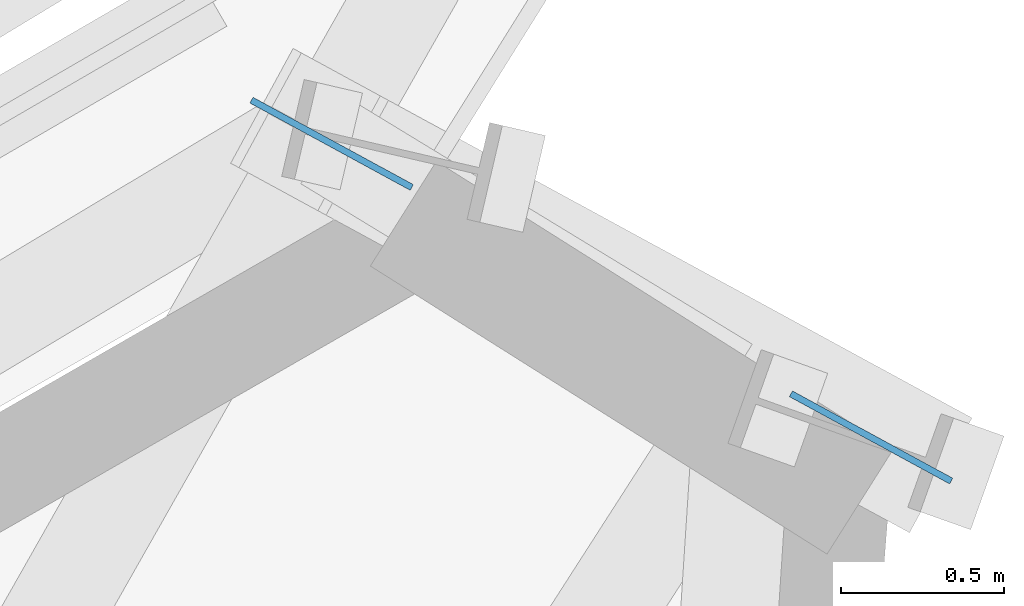
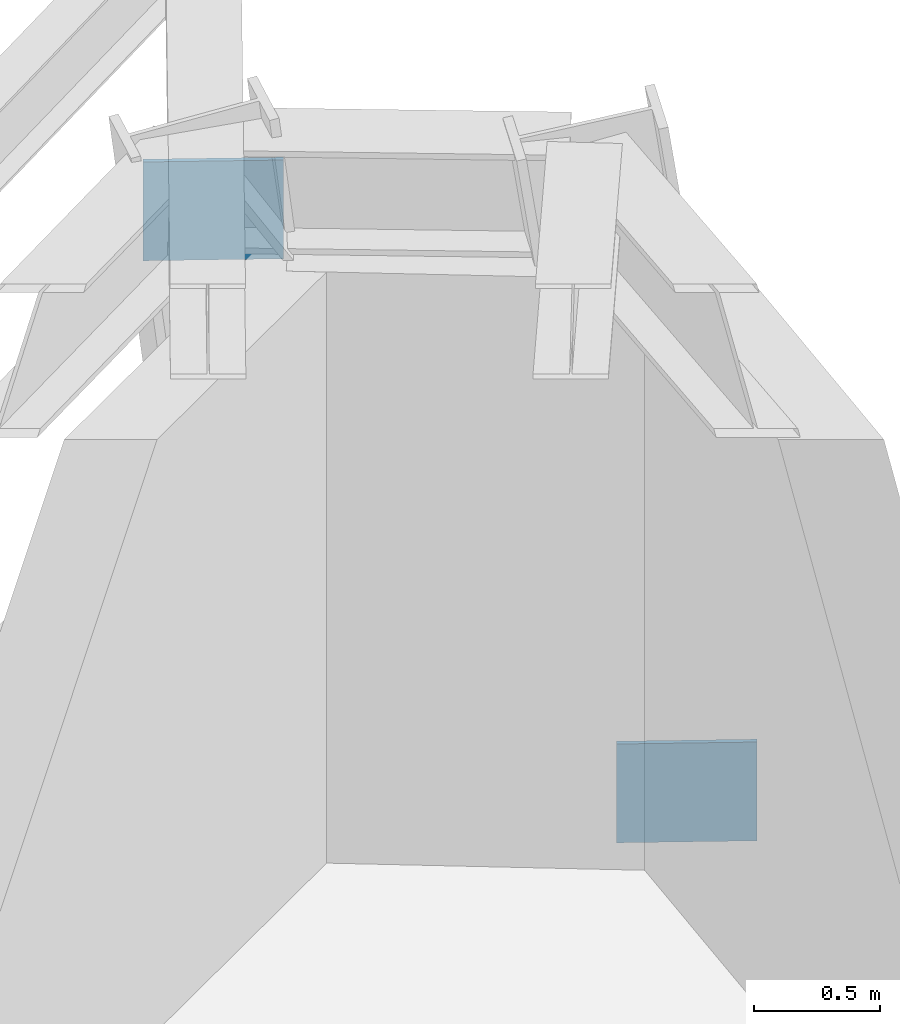
# One storey, part 9 of 15: 2 plates.
"""IFC4 building model written with IfcOpenShell, lengths in metres."""

from ifc_helpers import new_model, si_unit, direction, frame, origin, origin_2d, place, context, subcontext, project, spatial, rectangle, extrude, source, transform, mapped, material, type_object, element, save


model = new_model("IFC4")

# Units and contexts
model_context = context("Model", 3, precision=1e-05, world=origin(), true_north=direction((0.0, 1.0)))
body_context = subcontext(model_context, "Body", "Model", "MODEL_VIEW")
ifc_project = project(units=[si_unit("LENGTHUNIT", "METRE"), si_unit("AREAUNIT", "SQUARE_METRE"), si_unit("VOLUMEUNIT", "CUBIC_METRE"), si_unit("PLANEANGLEUNIT", "RADIAN"), si_unit("MASSUNIT", "GRAM", prefix="KILO")], contexts=[model_context])

# Site, building, storey
site_placement = place(None, origin())
site = spatial("IfcSite", under=ifc_project, at=site_placement, CompositionType="ELEMENT")
building_placement = place(site_placement, origin())
building = spatial("IfcBuilding", under=site, at=building_placement, Name="Olszyna Solenne Hotel", CompositionType="ELEMENT")
storey_placement = place(building_placement, frame((0.0, 0.0, 270.5)))
storey = spatial("IfcBuildingStorey", under=building, at=storey_placement, Name="L72", CompositionType="ELEMENT", Elevation=270.5)

# Plates
ifc_material = material(Name="Steel S355J2", Category="steel")
plate_type = type_object("IfcPlateType", Name="GP-ND2", PredefinedType="USERDEFINED", material=ifc_material)
shared_shape = source(origin(), body_context, "Body", "SweptSolid", [
    extrude(rectangle(XDim=0.56005859375, YDim=0.02001953125, at=origin_2d()), origin(), (0.0, 0.0, 1.0), 0.47998046875),
])
for number, where, z_axis, x_axis, name in (
    (1, (53.102783203125, 49.38671875, -0.113037109375), (0.0, 0.0, 1.0), (-0.878316951403, 0.478078793588, 0.0), "Brace end connection gusset plate GP-ND2 EP-BR-L72-1-1"),
    (2, (51.447265625, 50.287841796875, 2.748046875), (0.0, 0.0, 1.0), (-0.878316951403, 0.478078793588, 0.0), "Brace end connection gusset plate GP-ND2 EP-BR-L72-1-2"),
):
    element("IfcPlate", number, at=place(storey_placement, frame(where, z_axis=z_axis, x_axis=x_axis)), inside=storey, type_object=plate_type, Name=name, ObjectType="GUSSET_PLATE", PredefinedType="USERDEFINED", context=body_context, shape_type="MappedRepresentation", body=[
        mapped(shared_shape, transform((0.0, 0.0, 0.0), x_axis=(1.0, 0.0, 0.0), y_axis=(0.0, 1.0, 0.0), z_axis=(0.0, 0.0, 1.0), scale=1.0)),
    ])

save(model, "model.ifc")
